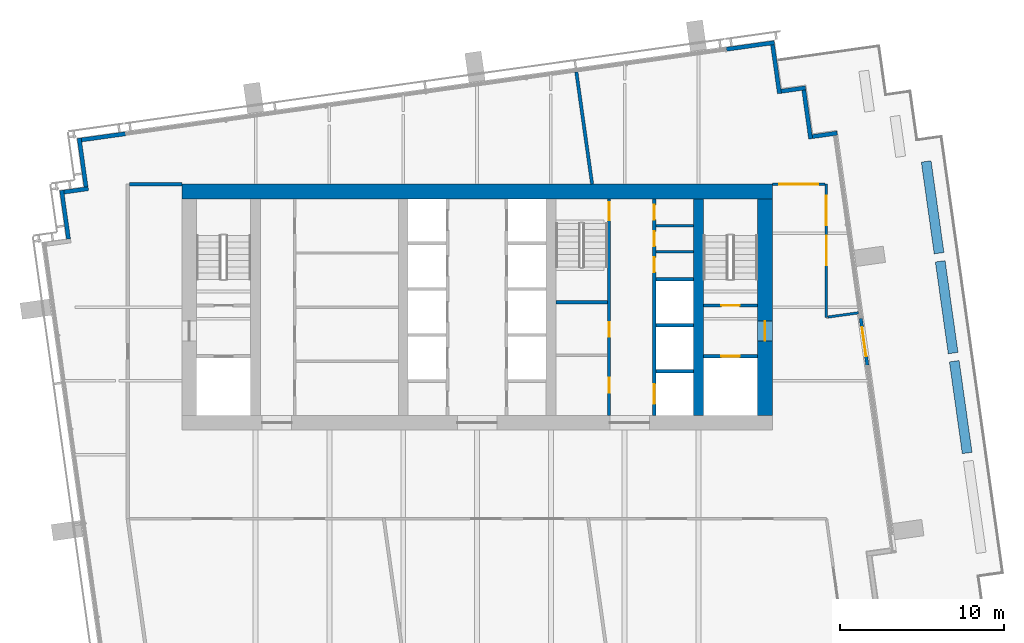
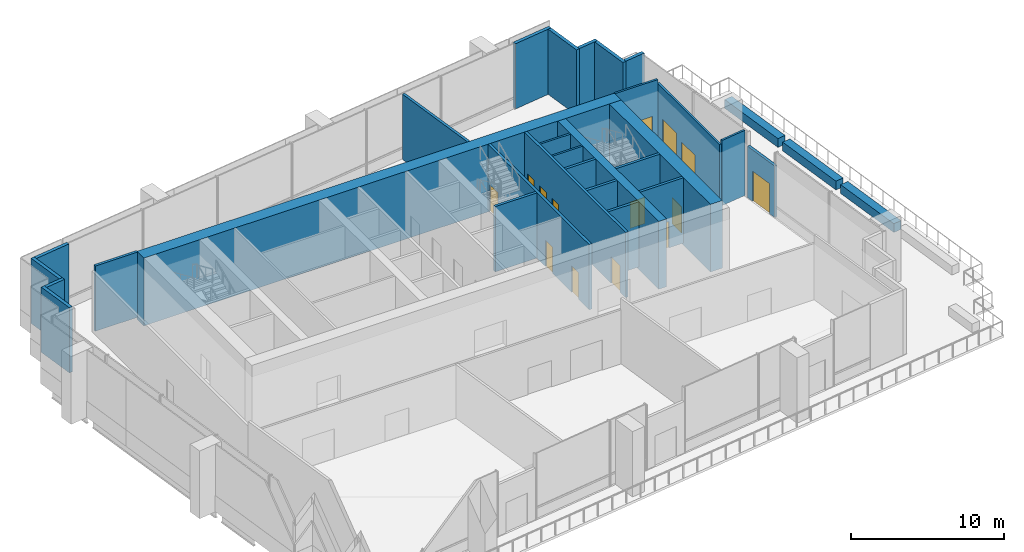
# One storey, part 8 of 14: 31 walls, 12 doors, 2 windows, 14 openings.
"""IFC4 building model written with IfcOpenShell, lengths in metres."""

from ifc_helpers import new_model, si_unit, direction, frame, frame_2d, origin, place, context, subcontext, project, spatial, rectangle, extrude, material, layer, layer_set, type_object, element, fill, save


model = new_model("IFC4")

# Units and contexts
model_context = context("Model", 3, precision=1e-05, world=origin(), true_north=direction((0.0, 1.0)))
body_context = subcontext(model_context, "Body", "Model", "MODEL_VIEW")
ifc_project = project(units=[si_unit("LENGTHUNIT", "METRE"), si_unit("AREAUNIT", "SQUARE_METRE"), si_unit("VOLUMEUNIT", "CUBIC_METRE"), si_unit("PLANEANGLEUNIT", "RADIAN"), si_unit("MASSUNIT", "GRAM", prefix="KILO")], contexts=[model_context])

# Site, building, storey
site_placement = place(None, origin())
site = spatial("IfcSite", under=ifc_project, at=site_placement, CompositionType="ELEMENT")
building_placement = place(site_placement, origin())
building = spatial("IfcBuilding", under=site, at=building_placement, Name="Rattan Terrace Tower", CompositionType="ELEMENT")
storey_placement = place(building_placement, frame((0.0, 0.0, 249.699951171875)))
storey = spatial("IfcBuildingStorey", under=building, at=storey_placement, Name="L57", CompositionType="ELEMENT", Elevation=249.699951171875)

# Walls
ifc_material_1 = material(Name="Gypsum board partition")
ifc_layer_1 = layer(ifc_material_1, 0.14990234375)
ifc_layer_set_1 = layer_set([ifc_layer_1], Name="Core partition 150")
wall_type_1 = type_object("IfcWallType", Name="Core partition 150", PredefinedType="PARTITIONING", material=ifc_layer_set_1)
for number, where, z_axis, x_axis, name in (
    (1, (10.89990234375, 3.384033203125, 0.0), (0.0, 0.0, 1.0), (1.0, 0.0, 0.0), "Riser room wall"),
    (2, (10.89990234375, 4.968017578125, 0.0), (0.0, 0.0, 1.0), (1.0, 0.0, 0.0), "Riser room wall"),
):
    element("IfcWall", number, at=place(storey_placement, frame(where, z_axis=z_axis, x_axis=x_axis)), inside=storey, type_object=wall_type_1, Name=name, PredefinedType="PARTITIONING", context=body_context, shape_type="SweptSolid", body=[
        extrude(rectangle(XDim=2.300048828125, YDim=0.14990234375, at=frame_2d((1.14990234375, 0.0))), origin(), (0.0, 0.0, 1.0), 5.199951171875),
    ])

# Wall, opening, door
ifc_material_2 = material(Name="Gypsum board partition")
ifc_layer_2 = layer(ifc_material_2, 0.199951171875)
ifc_layer_set_2 = layer_set([ifc_layer_2], Name="Core partition 200")
wall_type_2 = type_object("IfcWallType", Name="Core partition 200", PredefinedType="PARTITIONING", material=ifc_layer_set_2)
wall_1_placement = place(storey_placement, frame((13.800048828125, -3.0, 0.0), z_axis=(0.0, 0.0, 1.0), x_axis=(1.0, 0.0, 0.0)))
wall_1 = element("IfcWall", 3, at=wall_1_placement, inside=storey, type_object=wall_type_2, Name="Fire-fighting lobby wall", PredefinedType="PARTITIONING", context=body_context, shape_type="SweptSolid", body=[
    extrude(rectangle(XDim=3.300048828125, YDim=0.199951171875, at=frame_2d((1.64990234375, 0.0))), origin(), (0.0, 0.0, 1.0), 5.199951171875),
])
opening_1_placement = place(wall_1_placement, frame((1.10009765625, 0.0, 0.0)))
opening_1 = element("IfcOpeningElement", 4, at=opening_1_placement, cuts=wall_1, Name="Opening L57-LD-FF2", PredefinedType="OPENING", context=body_context, shape_type="SweptSolid", body=[
    extrude(rectangle(XDim=1.10009765625, YDim=2.10009765625, at=frame_2d((0.550048828125, 1.050048828125))), frame((0.0, 0.110595703125, 0.0), z_axis=(0.0, -1.0, 0.0), x_axis=(1.0, 0.0, 0.0)), (0.0, 0.0, 1.0), 0.220947265625),
])
ifc_material_3 = material(Name="Brushed stainless landing door panel")
door_type_1 = type_object("IfcDoorType", Name="Core lift landing door 1100", OperationType="DOUBLE_DOOR_SLIDING", PredefinedType="DOOR", material=ifc_material_3)
door_1_placement = place(opening_1_placement, origin())
door_1 = element("IfcDoor", 5, at=door_1_placement, inside=storey, type_object=door_type_1, Name="Door L57-LD-FF2", OperationType="DOUBLE_DOOR_SLIDING", OverallHeight=2.10009765625, OverallWidth=1.10009765625, PredefinedType="DOOR", context=body_context, shape_type="SweptSolid", body=[
    extrude(rectangle(XDim=1.10009765625, YDim=2.10009765625, at=frame_2d((0.550048828125, 1.050048828125))), frame((0.0, 0.02490234375, 0.0), z_axis=(0.0, -1.0, 0.0), x_axis=(1.0, 0.0, 0.0)), (0.0, 0.0, 1.0), 0.050048828125),
])
fill(opening_1, door_1)

wall_2_placement = place(storey_placement, frame((13.800048828125, 0.10009765625, 0.0), z_axis=(0.0, 0.0, 1.0), x_axis=(1.0, 0.0, 0.0)))
wall_2 = element("IfcWall", 6, at=wall_2_placement, inside=storey, type_object=wall_type_2, Name="Stair enclosure wall", PredefinedType="PARTITIONING", context=body_context, shape_type="SweptSolid", body=[
    extrude(rectangle(XDim=3.300048828125, YDim=0.199951171875, at=frame_2d((1.64990234375, 0.0))), origin(), (0.0, 0.0, 1.0), 5.199951171875),
])
opening_2_placement = place(wall_2_placement, frame((1.10009765625, 0.0, 0.0)))
opening_2 = element("IfcOpeningElement", 7, at=opening_2_placement, cuts=wall_2, Name="Opening L57-D004", PredefinedType="OPENING", context=body_context, shape_type="SweptSolid", body=[
    extrude(rectangle(XDim=1.10009765625, YDim=2.10009765625, at=frame_2d((0.550048828125, 1.050048828125))), frame((0.0, 0.110595703125, 0.0), z_axis=(0.0, -1.0, 0.0), x_axis=(1.0, 0.0, 0.0)), (0.0, 0.0, 1.0), 0.220947265625),
])
ifc_material_4 = material(Name="Hollow-metal fire door leaf")
door_type_2 = type_object("IfcDoorType", Name="Core stair door 1100", OperationType="NOTDEFINED", PredefinedType="DOOR", material=ifc_material_4)
door_2_placement = place(opening_2_placement, origin())
door_2 = element("IfcDoor", 8, at=door_2_placement, inside=storey, type_object=door_type_2, Name="Door L57-D004", OperationType="SINGLE_SWING_LEFT", OverallHeight=2.10009765625, OverallWidth=1.10009765625, PredefinedType="DOOR", context=body_context, shape_type="SweptSolid", body=[
    extrude(rectangle(XDim=1.10009765625, YDim=2.10009765625, at=frame_2d((0.550048828125, 1.050048828125))), frame((0.0, 0.02490234375, 0.0), z_axis=(0.0, -1.0, 0.0), x_axis=(1.0, 0.0, 0.0)), (0.0, 0.0, 1.0), 0.050048828125),
])
fill(opening_2, door_2)

# Wall, openings, doors
wall_3_placement = place(storey_placement, frame((8.050048828125, -6.60009765625, 0.0), z_axis=(0.0, 0.0, 1.0), x_axis=(0.0, 1.0, 0.0)))
wall_3 = element("IfcWall", 9, at=wall_3_placement, inside=storey, type_object=wall_type_2, Name="Lobby wall west", PredefinedType="PARTITIONING", context=body_context, shape_type="SweptSolid", body=[
    extrude(rectangle(XDim=13.2001953125, YDim=0.199951171875, at=frame_2d((6.60009765625, 0.0))), origin(), (0.0, 0.0, 1.0), 5.199951171875),
])
opening_3_placement = place(wall_3_placement, frame((1.385986328125, 0.0, 0.0)))
opening_3 = element("IfcOpeningElement", 10, at=opening_3_placement, cuts=wall_3, Name="Opening L57-D013", PredefinedType="OPENING", context=body_context, shape_type="SweptSolid", body=[
    extrude(rectangle(XDim=0.89990234375, YDim=2.10009765625, at=frame_2d((0.449951171875, 1.050048828125))), frame((0.0, 0.110595703125, 0.0), z_axis=(0.0, -1.0, 0.0), x_axis=(1.0, 0.0, 0.0)), (0.0, 0.0, 1.0), 0.220947265625),
])
opening_4_placement = place(wall_3_placement, frame((4.785888671875, 0.0, 0.0)))
opening_4 = element("IfcOpeningElement", 11, at=opening_4_placement, cuts=wall_3, Name="Opening L57-D014", PredefinedType="OPENING", context=body_context, shape_type="SweptSolid", body=[
    extrude(rectangle(XDim=0.89990234375, YDim=2.10009765625, at=frame_2d((0.449951171875, 1.050048828125))), frame((0.0, 0.110595703125, 0.0), z_axis=(0.0, -1.0, 0.0), x_axis=(1.0, 0.0, 0.0)), (0.0, 0.0, 1.0), 0.220947265625),
])
opening_5_placement = place(wall_3_placement, frame((11.89990234375, 0.0, 0.0)))
opening_5 = element("IfcOpeningElement", 12, at=opening_5_placement, cuts=wall_3, Name="Opening L57-D015", PredefinedType="OPENING", context=body_context, shape_type="SweptSolid", body=[
    extrude(rectangle(XDim=1.10009765625, YDim=2.10009765625, at=frame_2d((0.550048828125, 1.050048828125))), frame((0.0, 0.110595703125, 0.0), z_axis=(0.0, -1.0, 0.0), x_axis=(1.0, 0.0, 0.0)), (0.0, 0.0, 1.0), 0.220947265625),
])
door_3_placement = place(opening_5_placement, origin())
door_3 = element("IfcDoor", 13, at=door_3_placement, inside=storey, type_object=door_type_2, Name="Door L57-D015", OperationType="SINGLE_SWING_LEFT", OverallHeight=2.10009765625, OverallWidth=1.10009765625, PredefinedType="DOOR", context=body_context, shape_type="SweptSolid", body=[
    extrude(rectangle(XDim=1.10009765625, YDim=2.10009765625, at=frame_2d((0.550048828125, 1.050048828125))), frame((0.0, 0.02490234375, 0.0), z_axis=(0.0, -1.0, 0.0), x_axis=(1.0, 0.0, 0.0)), (0.0, 0.0, 1.0), 0.050048828125),
])
fill(opening_5, door_3)
ifc_material_5 = material(Name="Hollow-metal fire door leaf")
door_type_3 = type_object("IfcDoorType", Name="Core toilet door 900", OperationType="NOTDEFINED", PredefinedType="DOOR", material=ifc_material_5)
door_4_placement = place(opening_3_placement, origin())
door_4 = element("IfcDoor", 14, at=door_4_placement, inside=storey, type_object=door_type_3, Name="Door L57-D013", OperationType="SINGLE_SWING_LEFT", OverallHeight=2.10009765625, OverallWidth=0.89990234375, PredefinedType="DOOR", context=body_context, shape_type="SweptSolid", body=[
    extrude(rectangle(XDim=0.89990234375, YDim=2.10009765625, at=frame_2d((0.449951171875, 1.050048828125))), frame((0.0, 0.02490234375, 0.0), z_axis=(0.0, -1.0, 0.0), x_axis=(1.0, 0.0, 0.0)), (0.0, 0.0, 1.0), 0.050048828125),
])
fill(opening_3, door_4)
door_5_placement = place(opening_4_placement, origin())
door_5 = element("IfcDoor", 15, at=door_5_placement, inside=storey, type_object=door_type_3, Name="Door L57-D014", OperationType="SINGLE_SWING_RIGHT", OverallHeight=2.10009765625, OverallWidth=0.89990234375, PredefinedType="DOOR", context=body_context, shape_type="SweptSolid", body=[
    extrude(rectangle(XDim=0.89990234375, YDim=2.10009765625, at=frame_2d((0.449951171875, 1.050048828125))), frame((0.0, 0.02490234375, 0.0), z_axis=(0.0, -1.0, 0.0), x_axis=(1.0, 0.0, 0.0)), (0.0, 0.0, 1.0), 0.050048828125),
])
fill(opening_4, door_5)

# Walls
wall_4_placement = place(storey_placement, frame((4.800048828125, 0.300048828125, 0.0), z_axis=(0.0, 0.0, 1.0), x_axis=(1.0, 0.0, 0.0)))
element("IfcWall", 16, at=wall_4_placement, inside=storey, type_object=wall_type_2, Name="Stair enclosure wall", PredefinedType="PARTITIONING", context=body_context, shape_type="SweptSolid", body=[
    extrude(rectangle(XDim=3.14990234375, YDim=0.199951171875, at=frame_2d((1.574951171875, 0.0))), origin(), (0.0, 0.0, 1.0), 5.199951171875),
])
ifc_material_6 = material(Name="Concrete C50/60", Category="concrete")
ifc_layer_3 = layer(ifc_material_6, 0.89990234375)
ifc_layer_set_3 = layer_set([ifc_layer_3], Name="Core ring wall 900 C50/60")
wall_type_3 = type_object("IfcWallType", Name="Core ring wall 900 C50/60", PredefinedType="SHEAR", material=ifc_layer_set_3)
wall_5_placement = place(storey_placement, frame((-18.0, 7.050048828125, -0.199951171875), z_axis=(0.0, 0.0, 1.0), x_axis=(1.0, 0.0, 0.0)))
element("IfcWall", 17, at=wall_5_placement, inside=storey, type_object=wall_type_3, Name="Rear core wall north", PredefinedType="SHEAR", context=body_context, shape_type="SweptSolid", body=[
    extrude(rectangle(XDim=36.0, YDim=0.89990234375, at=frame_2d((18.0, 0.0))), origin(), (0.0, 0.0, 1.0), 5.39990234375),
])

# Wall, opening, door
wall_6_placement = place(storey_placement, frame((17.550048828125, -6.60009765625, -0.199951171875), z_axis=(0.0, 0.0, 1.0), x_axis=(0.0, 1.0, 0.0)))
wall_6 = element("IfcWall", 18, at=wall_6_placement, inside=storey, type_object=wall_type_3, Name="Rear core wall east", PredefinedType="SHEAR", context=body_context, shape_type="SweptSolid", body=[
    extrude(rectangle(XDim=13.2001953125, YDim=0.89990234375, at=frame_2d((6.60009765625, 0.0))), origin(), (0.0, 0.0, 1.0), 5.39990234375),
])
opening_6_placement = place(wall_6_placement, frame((4.550048828125, 0.0, 0.199951171875)))
opening_6 = element("IfcOpeningElement", 19, at=opening_6_placement, cuts=wall_6, Name="Opening L57-D003", PredefinedType="OPENING", context=body_context, shape_type="SweptSolid", body=[
    extrude(rectangle(XDim=1.199951171875, YDim=2.10009765625, at=frame_2d((0.60009765625, 1.050048828125))), frame((0.0, 0.46044921875, 0.0), z_axis=(0.0, -1.0, 0.0), x_axis=(1.0, 0.0, 0.0)), (0.0, 0.0, 1.0), 0.9208984375),
])
ifc_material_7 = material(Name="Hollow-metal fire door leaf")
door_type_4 = type_object("IfcDoorType", Name="Core fire-fighting lobby door 1200", OperationType="NOTDEFINED", PredefinedType="DOOR", material=ifc_material_7)
door_6_placement = place(opening_6_placement, origin())
door_6 = element("IfcDoor", 20, at=door_6_placement, inside=storey, type_object=door_type_4, Name="Door L57-D003", OperationType="SINGLE_SWING_RIGHT", OverallHeight=2.10009765625, OverallWidth=1.199951171875, PredefinedType="DOOR", context=body_context, shape_type="SweptSolid", body=[
    extrude(rectangle(XDim=1.199951171875, YDim=2.10009765625, at=frame_2d((0.60009765625, 1.050048828125))), frame((0.0, 0.02490234375, 0.0), z_axis=(0.0, -1.0, 0.0), x_axis=(1.0, 0.0, 0.0)), (0.0, 0.0, 1.0), 0.050048828125),
])
fill(opening_6, door_6)

# Wall
ifc_material_8 = material(Name="Concrete C50/60", Category="concrete")
ifc_layer_4 = layer(ifc_material_8, 0.60009765625)
ifc_layer_set_4 = layer_set([ifc_layer_4], Name="Core spine wall 600 C50/60")
wall_type_4 = type_object("IfcWallType", Name="Core spine wall 600 C50/60", PredefinedType="SHEAR", material=ifc_layer_set_4)
wall_7_placement = place(storey_placement, frame((13.5, -6.60009765625, -0.199951171875), z_axis=(0.0, 0.0, 1.0), x_axis=(0.0, 1.0, 0.0)))
element("IfcWall", 21, at=wall_7_placement, inside=storey, type_object=wall_type_4, Name="Core spine wall 4", PredefinedType="SHEAR", context=body_context, shape_type="SweptSolid", body=[
    extrude(rectangle(XDim=13.2001953125, YDim=0.60009765625, at=frame_2d((6.60009765625, 0.0))), origin(), (0.0, 0.0, 1.0), 5.39990234375),
])

# Wall, opening, door
ifc_material_9 = material(Name="Insulated aluminium-clad stud wall", Category="aluminium")
ifc_layer_5 = layer(ifc_material_9, 0.199951171875)
ifc_layer_set_5 = layer_set([ifc_layer_5], Name="Facade Door Wall 200")
wall_type_5 = type_object("IfcWallType", Name="Facade Door Wall 200", PredefinedType="SOLIDWALL", material=ifc_layer_set_5)
wall_8_placement = place(storey_placement, frame((23.794189453125, -3.544189453125, 0.0), z_axis=(0.0, 0.0, 1.0), x_axis=(-0.139184910023, 0.990266409014, 0.0)))
wall_8 = element("IfcWall", 22, at=wall_8_placement, inside=storey, type_object=wall_type_5, Name="Terrace door wall L57-6", PredefinedType="SOLIDWALL", context=body_context, shape_type="SweptSolid", body=[
    extrude(rectangle(XDim=2.888916015625, YDim=0.199951171875, at=frame_2d((1.4443359375, 0.0))), origin(), (0.0, 0.0, 1.0), 4.10009765625),
])
opening_7_placement = place(wall_8_placement, frame((0.54443359375, 0.0, 0.0)))
opening_7 = element("IfcOpeningElement", 23, at=opening_7_placement, cuts=wall_8, Name="Opening L57-D701", PredefinedType="OPENING", context=body_context, shape_type="SweptSolid", body=[
    extrude(rectangle(XDim=1.800048828125, YDim=2.39990234375, at=frame_2d((0.89990234375, 1.199951171875))), frame((0.0, 0.110595703125, 0.0), z_axis=(0.0, -1.0, 0.0), x_axis=(1.0, 0.0, 0.0)), (0.0, 0.0, 1.0), 0.220947265625),
])
ifc_material_10 = material(Name="Aluminium and clear glass", Category="aluminium")
door_type_5 = type_object("IfcDoorType", Name="Facade Terrace Door 1800", OperationType="DOUBLE_DOOR_SINGLE_SWING", PredefinedType="DOOR", material=ifc_material_10)
door_7_placement = place(opening_7_placement, origin())
door_7 = element("IfcDoor", 24, at=door_7_placement, inside=storey, type_object=door_type_5, Name="Terrace door L57-D701", OperationType="DOUBLE_DOOR_SINGLE_SWING", OverallHeight=2.39990234375, OverallWidth=1.800048828125, PredefinedType="DOOR", context=body_context, shape_type="SweptSolid", body=[
    extrude(rectangle(XDim=1.800048828125, YDim=2.39990234375, at=frame_2d((0.89990234375, 1.199951171875))), frame((0.0, 0.02490234375, 0.0), z_axis=(0.0, -1.0, 0.0), x_axis=(1.0, 0.0, 0.0)), (0.0, 0.0, 1.0), 0.050048828125),
])
fill(opening_7, door_7)

# Walls
ifc_material_11 = material(Name="Precast concrete C30/37", Category="concrete")
ifc_layer_6 = layer(ifc_material_11, 0.60009765625)
ifc_layer_set_6 = layer_set([ifc_layer_6], Name="Facade Planter Wall 600")
wall_type_6 = type_object("IfcWallType", Name="Facade Planter Wall 600", PredefinedType="SOLIDWALL", material=ifc_layer_set_6)
for number, where, z_axis, x_axis, name in (
    (25, (27.382080078125, 8.884033203125, 0.0), (0.0, 0.0, 1.0), (0.139097915002, -0.990278632528, 0.0), "PLANTER bed L57-3"),
    (26, (28.238037109375, 2.7939453125, 0.0), (0.0, 0.0, 1.0), (0.139097915002, -0.990278632528, 0.0), "PLANTER bed L57-4"),
):
    element("IfcWall", number, at=place(storey_placement, frame(where, z_axis=z_axis, x_axis=x_axis)), inside=storey, type_object=wall_type_6, Name=name, PredefinedType="SOLIDWALL", context=body_context, shape_type="SweptSolid", body=[
        extrude(rectangle(XDim=5.64990234375, YDim=0.60009765625, at=frame_2d((2.824951171875, 0.0))), origin(), (0.0, 0.0, 1.0), 0.699951171875),
    ])
wall_9_placement = place(storey_placement, frame((29.093017578125, -3.2958984375, 0.0), z_axis=(0.0, 0.0, 1.0), x_axis=(0.139261451825, -0.990255647818, 0.0)))
element("IfcWall", 27, at=wall_9_placement, inside=storey, type_object=wall_type_6, Name="PLANTER bed L57-5", PredefinedType="SOLIDWALL", context=body_context, shape_type="SweptSolid", body=[
    extrude(rectangle(XDim=5.650390625, YDim=0.60009765625, at=frame_2d((2.8251953125, 0.0))), origin(), (0.0, 0.0, 1.0), 0.699951171875),
])
ifc_material_12 = material(Name="Insulated aluminium-clad stud wall", Category="aluminium")
ifc_layer_7 = layer(ifc_material_12, 0.25)
ifc_layer_set_7 = layer_set([ifc_layer_7], Name="Facade Riser Wall 250")
wall_type_7 = type_object("IfcWallType", Name="Facade Riser Wall 250", PredefinedType="SOLIDWALL", material=ifc_layer_set_7)
wall_10_placement = place(storey_placement, frame((21.955810546875, 10.61181640625, 0.0), z_axis=(0.0, 0.0, 1.0), x_axis=(-0.990248296447, -0.139313715703, 0.0)))
element("IfcWall", 28, at=wall_10_placement, inside=storey, type_object=wall_type_7, Name="Riser wall L57-7", PredefinedType="SOLIDWALL", context=body_context, shape_type="SweptSolid", body=[
    extrude(rectangle(XDim=1.524658203125, YDim=0.25, at=frame_2d((0.76220703125, 0.0))), origin(), (0.0, 0.0, 1.0), 5.199951171875),
])
wall_11_placement = place(storey_placement, frame((20.33984375, 10.25830078125, 0.0), z_axis=(0.0, 0.0, 1.0), x_axis=(-0.139393225799, 0.990237107263, 0.0)))
element("IfcWall", 29, at=wall_11_placement, inside=storey, type_object=wall_type_7, Name="Riser wall L57-8", PredefinedType="SOLIDWALL", context=body_context, shape_type="SweptSolid", body=[
    extrude(rectangle(XDim=3.000244140625, YDim=0.25, at=frame_2d((1.5, 0.0))), origin(), (0.0, 0.0, 1.0), 5.199951171875),
])
wall_12_placement = place(storey_placement, frame((20.028076171875, 13.370361328125, 0.0), z_axis=(0.0, 0.0, 1.0), x_axis=(-0.990330117064, -0.138730887823, 0.0)))
element("IfcWall", 30, at=wall_12_placement, inside=storey, type_object=wall_type_7, Name="Riser wall L57-9", PredefinedType="SOLIDWALL", context=body_context, shape_type="SweptSolid", body=[
    extrude(rectangle(XDim=1.499267578125, YDim=0.25, at=frame_2d((0.74951171875, 0.0))), origin(), (0.0, 0.0, 1.0), 5.199951171875),
])
wall_13_placement = place(storey_placement, frame((18.436767578125, 13.021240234375, 0.0), z_axis=(0.0, 0.0, 1.0), x_axis=(-0.139358350296, 0.990242015975, 0.0)))
element("IfcWall", 31, at=wall_13_placement, inside=storey, type_object=wall_type_7, Name="Riser wall L57-10", PredefinedType="SOLIDWALL", context=body_context, shape_type="SweptSolid", body=[
    extrude(rectangle(XDim=2.999267578125, YDim=0.25, at=frame_2d((1.49951171875, 0.0))), origin(), (0.0, 0.0, 1.0), 5.199951171875),
])
wall_14_placement = place(storey_placement, frame((18.125244140625, 16.13232421875, 0.0), z_axis=(0.0, 0.0, 1.0), x_axis=(-0.990291981483, -0.139002846771, 0.0)))
element("IfcWall", 32, at=wall_14_placement, inside=storey, type_object=wall_type_7, Name="Riser wall L57-11", PredefinedType="SOLIDWALL", context=body_context, shape_type="SweptSolid", body=[
    extrude(rectangle(XDim=2.9541015625, YDim=0.25, at=frame_2d((1.47705078125, 0.0))), origin(), (0.0, 0.0, 1.0), 5.199951171875),
])
wall_15_placement = place(storey_placement, frame((-21.4404296875, 10.571533203125, 0.0), z_axis=(0.0, 0.0, 1.0), x_axis=(-0.990293105353, -0.138994839796, 0.0)))
element("IfcWall", 33, at=wall_15_placement, inside=storey, type_object=wall_type_7, Name="Riser wall L57-12", PredefinedType="SOLIDWALL", context=body_context, shape_type="SweptSolid", body=[
    extrude(rectangle(XDim=2.705078125, YDim=0.25, at=frame_2d((1.3525390625, 0.0))), origin(), (0.0, 0.0, 1.0), 5.199951171875),
])
wall_16_placement = place(storey_placement, frame((-24.260498046875, 10.302001953125, 0.0), z_axis=(0.0, 0.0, 1.0), x_axis=(0.138994228812, -0.990293191109, 0.0)))
element("IfcWall", 34, at=wall_16_placement, inside=storey, type_object=wall_type_7, Name="Riser wall L57-13", PredefinedType="SOLIDWALL", context=body_context, shape_type="SweptSolid", body=[
    extrude(rectangle(XDim=3.0, YDim=0.25, at=frame_2d((1.5, 0.0))), origin(), (0.0, 0.0, 1.0), 5.199951171875),
])
wall_17_placement = place(storey_placement, frame((-23.7021484375, 7.224853515625, 0.0), z_axis=(0.0, 0.0, 1.0), x_axis=(-0.990243596651, -0.13934711799, 0.0)))
element("IfcWall", 35, at=wall_17_placement, inside=storey, type_object=wall_type_7, Name="Riser wall L57-14", PredefinedType="SOLIDWALL", context=body_context, shape_type="SweptSolid", body=[
    extrude(rectangle(XDim=1.499755859375, YDim=0.25, at=frame_2d((0.75, 0.0))), origin(), (0.0, 0.0, 1.0), 5.199951171875),
])
wall_18_placement = place(storey_placement, frame((-25.328369140625, 7.1220703125, 0.0), z_axis=(0.0, 0.0, 1.0), x_axis=(0.139358350296, -0.990242015975, 0.0)))
element("IfcWall", 36, at=wall_18_placement, inside=storey, type_object=wall_type_7, Name="Riser wall L57-15", PredefinedType="SOLIDWALL", context=body_context, shape_type="SweptSolid", body=[
    extrude(rectangle(XDim=2.999267578125, YDim=0.25, at=frame_2d((1.49951171875, 0.0))), origin(), (0.0, 0.0, 1.0), 5.199951171875),
])
ifc_material_13 = material(Name="Concrete block wall, plastered", Category="concrete")
ifc_layer_8 = layer(ifc_material_13, 0.199951171875)
ifc_layer_set_8 = layer_set([ifc_layer_8], Name="Floors Plant Wall 200")
wall_type_8 = type_object("IfcWallType", Name="Floors Plant Wall 200", PredefinedType="PARTITIONING", material=ifc_layer_set_8)
wall_19_placement = place(storey_placement, frame((-21.199951171875, 7.5009765625, 0.0), z_axis=(0.0, 0.0, 1.0), x_axis=(1.0, 0.0, 0.0)))
element("IfcWall", 37, at=wall_19_placement, inside=storey, type_object=wall_type_8, Name="pt-L57-009", PredefinedType="PARTITIONING", context=body_context, shape_type="SweptSolid", body=[
    extrude(rectangle(XDim=3.199951171875, YDim=0.199951171875, at=frame_2d((1.60009765625, 0.0))), origin(), (0.0, 0.0, 1.0), 5.199951171875),
])
wall_20_placement = place(storey_placement, frame((7.013916015625, 7.5, 0.0), z_axis=(0.0, 0.0, 1.0), x_axis=(-0.139161207558, 0.990269740177, 0.0)))
element("IfcWall", 38, at=wall_20_placement, inside=storey, type_object=wall_type_8, Name="pt-L57-013", PredefinedType="PARTITIONING", context=body_context, shape_type="SweptSolid", body=[
    extrude(rectangle(XDim=6.912109375, YDim=0.199951171875, at=frame_2d((3.4560546875, 0.0))), origin(), (0.0, 0.0, 1.0), 5.199951171875),
])

# Wall, opening, window
ifc_material_14 = material(Name="Gypsum board partition on steel studs, fire rated", Category="steel")
ifc_layer_9 = layer(ifc_material_14, 0.14990234375)
ifc_layer_set_9 = layer_set([ifc_layer_9], Name="Floors Tenancy Wall 150")
wall_type_9 = type_object("IfcWallType", Name="Floors Tenancy Wall 150", PredefinedType="PARTITIONING", material=ifc_layer_set_9)
wall_21_placement = place(storey_placement, frame((18.0, 7.5, 0.0), z_axis=(0.0, 0.0, 1.0), x_axis=(1.0, 0.0, 0.0)))
wall_21 = element("IfcWall", 39, at=wall_21_placement, inside=storey, type_object=wall_type_9, Name="pt-L57-005", PredefinedType="PARTITIONING", context=body_context, shape_type="SweptSolid", body=[
    extrude(rectangle(XDim=3.22509765625, YDim=0.14990234375, at=frame_2d((1.612548828125, 0.0))), origin(), (0.0, 0.0, 1.0), 5.199951171875),
])
opening_8_placement = place(wall_21_placement, frame((0.4130859375, 0.0, 0.0)))
opening_8 = element("IfcOpeningElement", 40, at=opening_8_placement, cuts=wall_21, Name="Opening L57-W104", PredefinedType="OPENING", context=body_context, shape_type="SweptSolid", body=[
    extrude(rectangle(XDim=2.39990234375, YDim=2.39990234375, at=frame_2d((1.199951171875, 1.199951171875))), frame((0.0, 0.08544921875, 0.0), z_axis=(0.0, -1.0, 0.0), x_axis=(1.0, 0.0, 0.0)), (0.0, 0.0, 1.0), 0.1708984375),
])
ifc_material_15 = material(Name="Glass, clear, fixed in aluminium frame", Category="aluminium")
window_type_1 = type_object("IfcWindowType", Name="Interior Glazed Screen 2400x2400", PartitioningType="SINGLE_PANEL", PredefinedType="WINDOW", material=ifc_material_15)
window_1_placement = place(opening_8_placement, origin())
window_1 = element("IfcWindow", 41, at=window_1_placement, inside=storey, type_object=window_type_1, Name="w-L57-104", OverallHeight=2.39990234375, OverallWidth=2.39990234375, PartitioningType="SINGLE_PANEL", PredefinedType="WINDOW", context=body_context, shape_type="SweptSolid", body=[
    extrude(rectangle(XDim=2.39990234375, YDim=2.39990234375, at=frame_2d((1.199951171875, 1.199951171875))), frame((0.0, 0.030029296875, 0.0), z_axis=(0.0, -1.0, 0.0), x_axis=(1.0, 0.0, 0.0)), (0.0, 0.0, 1.0), 0.06005859375),
])
fill(opening_8, window_1)

# Wall, openings, door, window
wall_22_placement = place(storey_placement, frame((21.300048828125, 7.5, 0.0), z_axis=(0.0, 0.0, 1.0), x_axis=(0.0, -1.0, 0.0)))
wall_22 = element("IfcWall", 42, at=wall_22_placement, inside=storey, type_object=wall_type_9, Name="pt-L57-006", PredefinedType="PARTITIONING", context=body_context, shape_type="SweptSolid", body=[
    extrude(rectangle(XDim=8.117919921875, YDim=0.14990234375, at=frame_2d((4.05908203125, 0.0))), origin(), (0.0, 0.0, 1.0), 4.900146484375),
])
opening_9_placement = place(wall_22_placement, frame((3.158935546875, 0.0, 0.0)))
opening_9 = element("IfcOpeningElement", 43, at=opening_9_placement, cuts=wall_22, Name="Opening L57-D103", PredefinedType="OPENING", context=body_context, shape_type="SweptSolid", body=[
    extrude(rectangle(XDim=1.800048828125, YDim=2.10009765625, at=frame_2d((0.89990234375, 1.050048828125))), frame((0.0, 0.08544921875, 0.0), z_axis=(0.0, -1.0, 0.0), x_axis=(1.0, 0.0, 0.0)), (0.0, 0.0, 1.0), 0.1708984375),
])
opening_10_placement = place(wall_22_placement, frame((0.717041015625, 0.0, 0.0)))
opening_10 = element("IfcOpeningElement", 44, at=opening_10_placement, cuts=wall_22, Name="Opening L57-W105", PredefinedType="OPENING", context=body_context, shape_type="SweptSolid", body=[
    extrude(rectangle(XDim=1.800048828125, YDim=2.39990234375, at=frame_2d((0.89990234375, 1.199951171875))), frame((0.0, 0.08544921875, 0.0), z_axis=(0.0, -1.0, 0.0), x_axis=(1.0, 0.0, 0.0)), (0.0, 0.0, 1.0), 0.1708984375),
])
ifc_material_16 = material(Name="Steel fire door set", Category="steel")
door_type_6 = type_object("IfcDoorType", Name="Floors Fire Door Pair FD30S 1800x2100", OperationType="NOTDEFINED", PredefinedType="DOOR", material=ifc_material_16)
door_8_placement = place(opening_9_placement, origin())
door_8 = element("IfcDoor", 45, at=door_8_placement, inside=storey, type_object=door_type_6, Name="d-L57-103", OperationType="DOUBLE_DOOR_SINGLE_SWING", OverallHeight=2.10009765625, OverallWidth=1.800048828125, PredefinedType="DOOR", context=body_context, shape_type="SweptSolid", body=[
    extrude(rectangle(XDim=1.800048828125, YDim=2.10009765625, at=frame_2d((0.89990234375, 1.050048828125))), frame((0.0, 0.02490234375, 0.0), z_axis=(0.0, -1.0, 0.0), x_axis=(1.0, 0.0, 0.0)), (0.0, 0.0, 1.0), 0.050048828125),
])
fill(opening_9, door_8)
ifc_material_17 = material(Name="Glass, clear, fixed in aluminium frame", Category="aluminium")
window_type_2 = type_object("IfcWindowType", Name="Interior Glazed Screen 1800x2400", PartitioningType="SINGLE_PANEL", PredefinedType="WINDOW", material=ifc_material_17)
window_2_placement = place(opening_10_placement, origin())
window_2 = element("IfcWindow", 46, at=window_2_placement, inside=storey, type_object=window_type_2, Name="w-L57-105", OverallHeight=2.39990234375, OverallWidth=1.800048828125, PartitioningType="SINGLE_PANEL", PredefinedType="WINDOW", context=body_context, shape_type="SweptSolid", body=[
    extrude(rectangle(XDim=1.800048828125, YDim=2.39990234375, at=frame_2d((0.89990234375, 1.199951171875))), frame((0.0, 0.030029296875, 0.0), z_axis=(0.0, -1.0, 0.0), x_axis=(1.0, 0.0, 0.0)), (0.0, 0.0, 1.0), 0.06005859375),
])
fill(opening_10, window_2)

# Wall
wall_23_placement = place(storey_placement, frame((21.385009765625, -0.60693359375, 0.0), z_axis=(0.0, 0.0, 1.0), x_axis=(0.990318640418, 0.138812789179, 0.0)))
element("IfcWall", 47, at=wall_23_placement, inside=storey, type_object=wall_type_9, Name="pt-L57-007", PredefinedType="PARTITIONING", context=body_context, shape_type="SweptSolid", body=[
    extrude(rectangle(XDim=1.88720703125, YDim=0.14990234375, at=frame_2d((0.943603515625, 0.0))), origin(), (0.0, 0.0, 1.0), 5.199951171875),
])

# Wall, openings, doors
ifc_material_18 = material(Name="Gypsum shaft wall system")
ifc_layer_10 = layer(ifc_material_18, 0.199951171875)
ifc_layer_set_10 = layer_set([ifc_layer_10], Name="Lift shaft wall 200")
wall_type_10 = type_object("IfcWallType", Name="Lift shaft wall 200", PredefinedType="PARTITIONING", material=ifc_layer_set_10)
wall_24_placement = place(storey_placement, frame((10.800048828125, -6.60009765625, 0.0), z_axis=(0.0, 0.0, 1.0), x_axis=(0.0, 1.0, 0.0)))
wall_24 = element("IfcWall", 48, at=wall_24_placement, inside=storey, type_object=wall_type_10, Name="Lift shaft front wall", PredefinedType="PARTITIONING", context=body_context, shape_type="SweptSolid", body=[
    extrude(rectangle(XDim=13.2001953125, YDim=0.199951171875, at=frame_2d((6.60009765625, 0.0))), origin(), (0.0, 0.0, 1.0), 5.199951171875),
])
opening_11_placement = place(wall_24_placement, frame((0.699951171875, 0.0, 0.0)))
opening_11 = element("IfcOpeningElement", 49, at=opening_11_placement, cuts=wall_24, Name="Opening L57-LD-SV1", PredefinedType="OPENING", context=body_context, shape_type="SweptSolid", body=[
    extrude(rectangle(XDim=1.199951171875, YDim=2.10009765625, at=frame_2d((0.60009765625, 1.050048828125))), frame((0.0, 0.110595703125, 0.0), z_axis=(0.0, -1.0, 0.0), x_axis=(1.0, 0.0, 0.0)), (0.0, 0.0, 1.0), 0.220947265625),
])
opening_12_placement = place(wall_24_placement, frame((8.741943359375, 0.0, 0.0)))
opening_12 = element("IfcOpeningElement", 50, at=opening_12_placement, cuts=wall_24, Name="Opening L57-D017", PredefinedType="OPENING", context=body_context, shape_type="SweptSolid", body=[
    extrude(rectangle(XDim=0.89990234375, YDim=2.10009765625, at=frame_2d((0.449951171875, 1.050048828125))), frame((0.0, 0.110595703125, 0.0), z_axis=(0.0, -1.0, 0.0), x_axis=(1.0, 0.0, 0.0)), (0.0, 0.0, 1.0), 0.220947265625),
])
opening_13_placement = place(wall_24_placement, frame((10.325927734375, 0.0, 0.0)))
opening_13 = element("IfcOpeningElement", 51, at=opening_13_placement, cuts=wall_24, Name="Opening L57-D018", PredefinedType="OPENING", context=body_context, shape_type="SweptSolid", body=[
    extrude(rectangle(XDim=0.89990234375, YDim=2.10009765625, at=frame_2d((0.449951171875, 1.050048828125))), frame((0.0, 0.110595703125, 0.0), z_axis=(0.0, -1.0, 0.0), x_axis=(1.0, 0.0, 0.0)), (0.0, 0.0, 1.0), 0.220947265625),
])
opening_14_placement = place(wall_24_placement, frame((11.93408203125, 0.0, 0.0)))
opening_14 = element("IfcOpeningElement", 52, at=opening_14_placement, cuts=wall_24, Name="Opening L57-D019", PredefinedType="OPENING", context=body_context, shape_type="SweptSolid", body=[
    extrude(rectangle(XDim=0.89990234375, YDim=2.10009765625, at=frame_2d((0.449951171875, 1.050048828125))), frame((0.0, 0.110595703125, 0.0), z_axis=(0.0, -1.0, 0.0), x_axis=(1.0, 0.0, 0.0)), (0.0, 0.0, 1.0), 0.220947265625),
])
ifc_material_19 = material(Name="Brushed stainless landing door panel")
door_type_7 = type_object("IfcDoorType", Name="Core lift landing door 1200", OperationType="DOUBLE_DOOR_SLIDING", PredefinedType="DOOR", material=ifc_material_19)
door_9_placement = place(opening_11_placement, origin())
door_9 = element("IfcDoor", 53, at=door_9_placement, inside=storey, type_object=door_type_7, Name="Door L57-LD-SV1", OperationType="DOUBLE_DOOR_SLIDING", OverallHeight=2.10009765625, OverallWidth=1.199951171875, PredefinedType="DOOR", context=body_context, shape_type="SweptSolid", body=[
    extrude(rectangle(XDim=1.199951171875, YDim=2.10009765625, at=frame_2d((0.60009765625, 1.050048828125))), frame((0.0, 0.02490234375, 0.0), z_axis=(0.0, -1.0, 0.0), x_axis=(1.0, 0.0, 0.0)), (0.0, 0.0, 1.0), 0.050048828125),
])
fill(opening_11, door_9)
ifc_material_20 = material(Name="Hollow-metal fire door leaf")
door_type_8 = type_object("IfcDoorType", Name="Core riser door 900", OperationType="NOTDEFINED", PredefinedType="DOOR", material=ifc_material_20)
door_10_placement = place(opening_12_placement, origin())
door_10 = element("IfcDoor", 54, at=door_10_placement, inside=storey, type_object=door_type_8, Name="Door L57-D017", OperationType="SINGLE_SWING_RIGHT", OverallHeight=2.10009765625, OverallWidth=0.89990234375, PredefinedType="DOOR", context=body_context, shape_type="SweptSolid", body=[
    extrude(rectangle(XDim=0.89990234375, YDim=2.10009765625, at=frame_2d((0.449951171875, 1.050048828125))), frame((0.0, 0.02490234375, 0.0), z_axis=(0.0, -1.0, 0.0), x_axis=(1.0, 0.0, 0.0)), (0.0, 0.0, 1.0), 0.050048828125),
])
fill(opening_12, door_10)
door_11_placement = place(opening_13_placement, origin())
door_11 = element("IfcDoor", 55, at=door_11_placement, inside=storey, type_object=door_type_8, Name="Door L57-D018", OperationType="SINGLE_SWING_LEFT", OverallHeight=2.10009765625, OverallWidth=0.89990234375, PredefinedType="DOOR", context=body_context, shape_type="SweptSolid", body=[
    extrude(rectangle(XDim=0.89990234375, YDim=2.10009765625, at=frame_2d((0.449951171875, 1.050048828125))), frame((0.0, 0.02490234375, 0.0), z_axis=(0.0, -1.0, 0.0), x_axis=(1.0, 0.0, 0.0)), (0.0, 0.0, 1.0), 0.050048828125),
])
fill(opening_13, door_11)
ifc_material_21 = material(Name="Hollow-metal fire door leaf")
door_type_9 = type_object("IfcDoorType", Name="Core service room door 900", OperationType="NOTDEFINED", PredefinedType="DOOR", material=ifc_material_21)
door_12_placement = place(opening_14_placement, origin())
door_12 = element("IfcDoor", 56, at=door_12_placement, inside=storey, type_object=door_type_9, Name="Door L57-D019", OperationType="SINGLE_SWING_RIGHT", OverallHeight=2.10009765625, OverallWidth=0.89990234375, PredefinedType="DOOR", context=body_context, shape_type="SweptSolid", body=[
    extrude(rectangle(XDim=0.89990234375, YDim=2.10009765625, at=frame_2d((0.449951171875, 1.050048828125))), frame((0.0, 0.02490234375, 0.0), z_axis=(0.0, -1.0, 0.0), x_axis=(1.0, 0.0, 0.0)), (0.0, 0.0, 1.0), 0.050048828125),
])
fill(opening_14, door_12)

# Walls
for number, where, z_axis, x_axis, name in (
    (57, (10.89990234375, -3.89990234375, 0.0), (0.0, 0.0, 1.0), (1.0, 0.0, 0.0), "Lift shaft wall"),
    (58, (10.89990234375, -1.10009765625, 0.0), (0.0, 0.0, 1.0), (1.0, 0.0, 0.0), "Lift shaft wall"),
    (59, (10.89990234375, 1.699951171875, 0.0), (0.0, 0.0, 1.0), (1.0, 0.0, 0.0), "Lift shaft wall"),
):
    element("IfcWall", number, at=place(storey_placement, frame(where, z_axis=z_axis, x_axis=x_axis)), inside=storey, type_object=wall_type_10, Name=name, PredefinedType="PARTITIONING", context=body_context, shape_type="SweptSolid", body=[
        extrude(rectangle(XDim=2.300048828125, YDim=0.199951171875, at=frame_2d((1.14990234375, 0.0))), origin(), (0.0, 0.0, 1.0), 5.199951171875),
    ])

save(model, "model.ifc")
